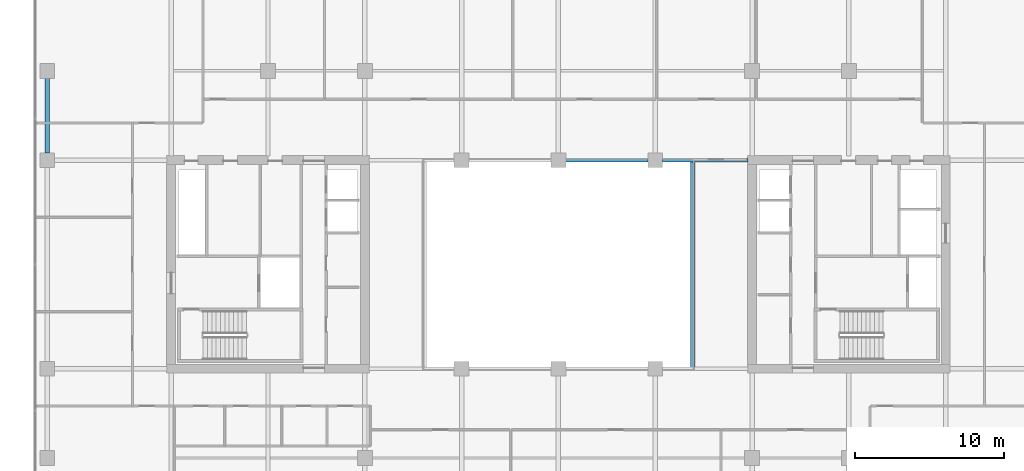
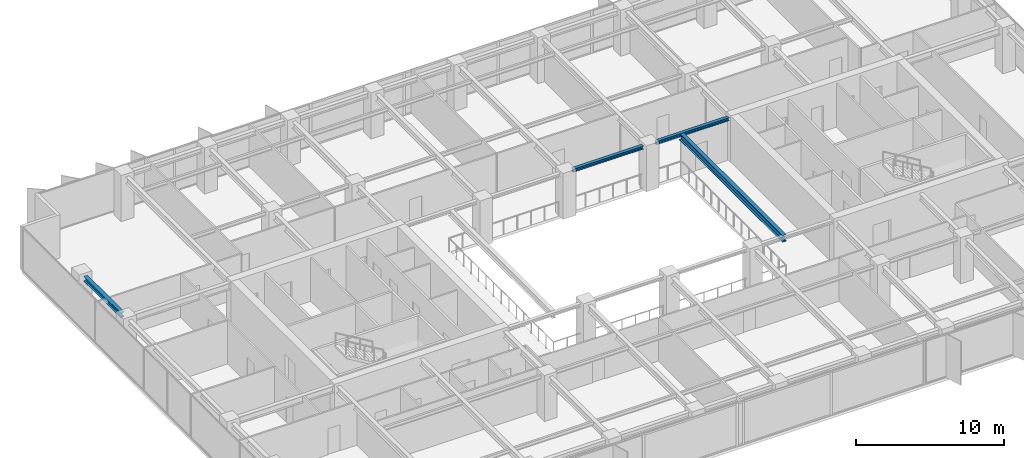
# One storey, part 7 of 22: 4 beams.
"""IFC4 building model written with IfcOpenShell, lengths in metres."""

from ifc_helpers import new_model, si_unit, direction, frame, origin, origin_2d, place, context, subcontext, project, spatial, i_section, extrude, material, material_profile, profile_set, type_object, element, save


model = new_model("IFC4")

# Units and contexts
model_context = context("Model", 3, precision=1e-05, world=origin(), true_north=direction((0.0, 1.0)))
body_context = subcontext(model_context, "Body", "Model", "MODEL_VIEW")
ifc_project = project(units=[si_unit("LENGTHUNIT", "METRE"), si_unit("AREAUNIT", "SQUARE_METRE"), si_unit("VOLUMEUNIT", "CUBIC_METRE"), si_unit("PLANEANGLEUNIT", "RADIAN"), si_unit("MASSUNIT", "GRAM", prefix="KILO")], contexts=[model_context])

# Site, building, storey
site_placement = place(None, origin())
site = spatial("IfcSite", under=ifc_project, at=site_placement, CompositionType="ELEMENT")
building_placement = place(site_placement, origin())
building = spatial("IfcBuilding", under=site, at=building_placement, Name="Putna Gate Headquarters", CompositionType="ELEMENT")
storey_placement = place(building_placement, frame((0.0, 0.0, 159.39990234375)))
storey = spatial("IfcBuildingStorey", under=building, at=storey_placement, Name="L39", CompositionType="ELEMENT", Elevation=159.39990234375)

# Beams
ifc_material = material(Name="Steel S355J2", Category="steel")
ifc_material_profile_1 = material_profile(ifc_material, i_section(OverallWidth=0.260009765625, OverallDepth=0.260009765625, WebThickness=0.010009765625, FlangeThickness=0.017578125, at=origin_2d()), Name="Steel S355J2")
ifc_profile_set_1 = profile_set([ifc_material_profile_1], Name="Steel S355J2")
beam_type_1 = type_object("IfcBeamType", Name="BM-ATRIUM-HEB260", PredefinedType="BEAM", material=ifc_profile_set_1)
beam_1_placement = place(storey_placement, frame((39.488037109375, 33.0, 3.442138671875), z_axis=(1.0, 0.0, 0.0), x_axis=(0.0, 1.0, 0.0)))
element("IfcBeam", 1, at=beam_1_placement, inside=storey, type_object=beam_type_1, Name="L39 Atrium Edge Beam AN3", PredefinedType="BEAM", context=body_context, shape_type="SweptSolid", body=[
    extrude(i_section(OverallWidth=0.260009765625, OverallDepth=0.260009765625, WebThickness=0.010009765625, FlangeThickness=0.017578125, at=origin_2d()), origin(), (0.0, 0.0, 1.0), 5.52392578125),
])
beam_2_placement = place(storey_placement, frame((45.988037109375, 33.0, 3.442138671875), z_axis=(1.0, 0.0, 0.0), x_axis=(0.0, 1.0, 0.0)))
element("IfcBeam", 2, at=beam_2_placement, inside=storey, type_object=beam_type_1, Name="L39 Atrium Edge Beam AN4", PredefinedType="BEAM", context=body_context, shape_type="SweptSolid", body=[
    extrude(i_section(OverallWidth=0.260009765625, OverallDepth=0.260009765625, WebThickness=0.010009765625, FlangeThickness=0.017578125, at=origin_2d()), origin(), (0.0, 0.0, 1.0), 5.72705078125),
])
ifc_material_profile_2 = material_profile(ifc_material, i_section(OverallWidth=0.300048828125, OverallDepth=0.550048828125, WebThickness=0.014892578125, FlangeThickness=0.029052734375, at=origin_2d()), Name="Steel S355J2")
ifc_profile_set_2 = profile_set([ifc_material_profile_2], Name="Steel S355J2")
beam_type_2 = type_object("IfcBeamType", Name="BM-GIRD-Z3-HEB550", PredefinedType="USERDEFINED", material=ifc_profile_set_2)
beam_3_placement = place(storey_placement, frame((48.0, 19.010009765625, 3.297119140625), z_axis=(0.0, 1.0, 0.0), x_axis=(-1.0, 0.0, 0.0)))
element("IfcBeam", 3, at=beam_3_placement, inside=storey, type_object=beam_type_2, Name="L39 Atrium Trim Girder AE", ObjectType="GIRDER", PredefinedType="USERDEFINED", context=body_context, shape_type="SweptSolid", body=[
    extrude(i_section(OverallWidth=0.300048828125, OverallDepth=0.550048828125, WebThickness=0.014892578125, FlangeThickness=0.029052734375, at=origin_2d()), origin(), (0.0, 0.0, 1.0), 13.97998046875),
])
ifc_material_profile_3 = material_profile(ifc_material, i_section(OverallWidth=0.300048828125, OverallDepth=0.39990234375, WebThickness=0.013427734375, FlangeThickness=0.02392578125, at=origin_2d()), Name="Steel S355J2")
ifc_profile_set_3 = profile_set([ifc_material_profile_3], Name="Steel S355J2")
beam_type_3 = type_object("IfcBeamType", Name="BM-SPAN-Z3-HEB400", PredefinedType="SPANDREL", material=ifc_profile_set_3)
beam_4_placement = place(storey_placement, frame((4.679931640625, 33.488037109375, 3.3720703125), z_axis=(0.0, 1.0, 0.0), x_axis=(-1.0, 0.0, 0.0)))
element("IfcBeam", 4, at=beam_4_placement, inside=storey, type_object=beam_type_3, Name="L39 W End Spandrel 3", PredefinedType="SPANDREL", context=body_context, shape_type="SweptSolid", body=[
    extrude(i_section(OverallWidth=0.300048828125, OverallDepth=0.39990234375, WebThickness=0.013427734375, FlangeThickness=0.02392578125, at=origin_2d()), origin(), (0.0, 0.0, 1.0), 5.02392578125),
])

save(model, "model.ifc")
